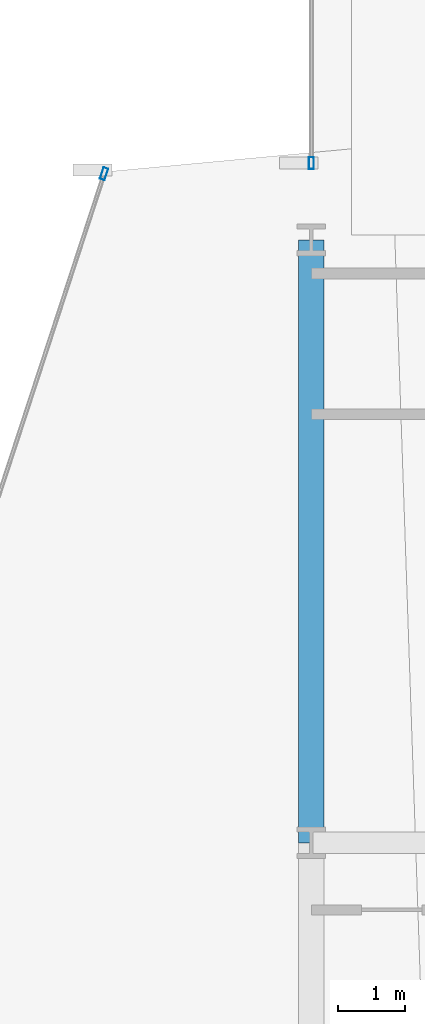
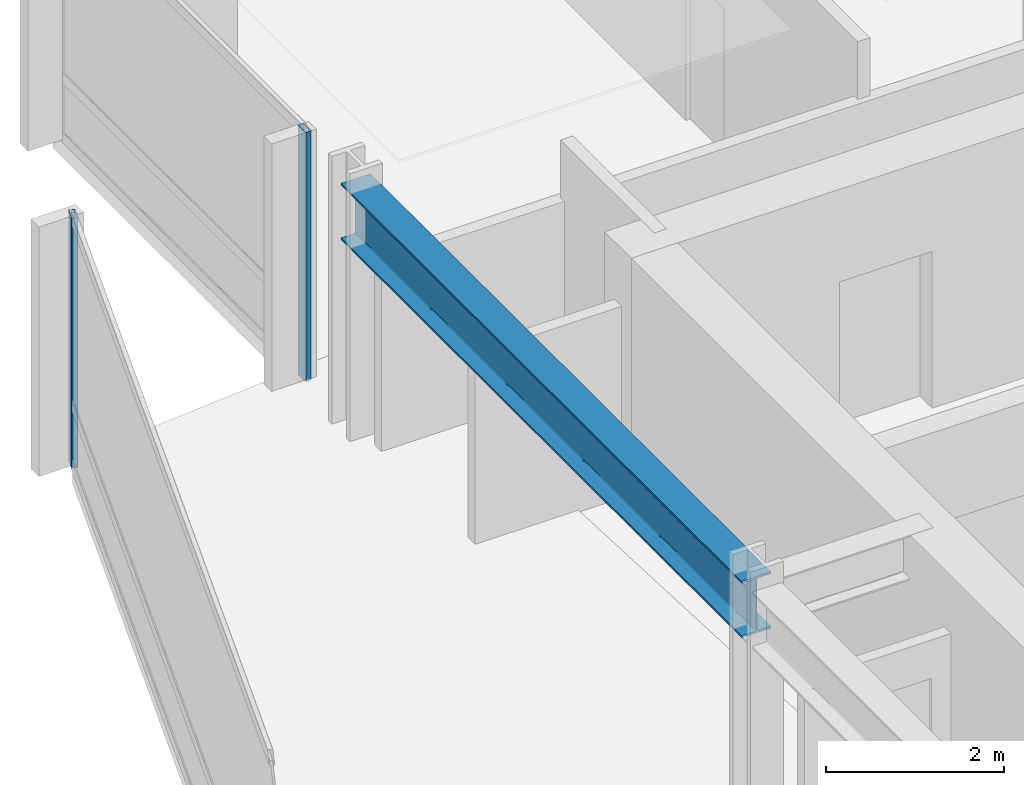
# One storey, part 19 of 34: 2 members, 1 beam, 2 elements without a shape of their own.
"""IFC4 building model written with IfcOpenShell, lengths in metres."""

import ifcopenshell
import ifcopenshell.guid

model = None  # the IFC model being written
_history = None  # IfcOwnerHistory: only IFC2X3 demands one
_inside = {}  # id of a spatial element -> (the spatial element, [elements in it])
_under = {}  # id of a project, library or spatial element -> (it, [spatial elements below it])
_declared = {}  # id of a project -> (the project, [libraries it declares])
_typed = {}  # id of a type object -> (the type object, [elements of that type])
_made_of = {}  # id of a material, layer set ... -> (it, [elements and type objects made of it])


def new_model(schema):
    """Start an empty IFC model of exactly this schema.

    Asked for "IFC4X3", IfcOpenShell would pick the latest addendum, in which some entities
    have other attributes; the version numbers below select the first issue.
    IFC2X3 requires an IfcOwnerHistory on every rooted entity: one is made here for all.
    """
    global model, _history
    if schema == "IFC4X3":
        model = ifcopenshell.file(schema_version=(4, 3, 0, 0))
    else:
        model = ifcopenshell.file(schema=schema)
    _inside.clear()
    _under.clear()
    _declared.clear()
    _typed.clear()
    _made_of.clear()
    _history = None
    if model.schema == "IFC2X3":
        org = make("IfcOrganization", Name="unknown")
        user = make(
            "IfcPersonAndOrganization",
            ThePerson=make("IfcPerson", FamilyName="unknown"),
            TheOrganization=org,
        )
        app = make(
            "IfcApplication",
            ApplicationDeveloper=org,
            Version="unknown",
            ApplicationFullName="unknown",
            ApplicationIdentifier="unknown",
        )
        _history = make(
            "IfcOwnerHistory",
            OwningUser=user,
            OwningApplication=app,
            ChangeAction="ADDED",
            CreationDate=0,
        )
    return model


def make(cls, **values):
    """One entity of the class cls with the attributes given. An attribute that is None is left unset."""
    return model.create_entity(
        cls, **{name: value for name, value in values.items() if value is not None}
    )


def rooted(cls, **values):
    """An entity with a GlobalId (a new one), such as an element, a storey or a relation."""
    return make(cls, GlobalId=ifcopenshell.guid.new(), OwnerHistory=_history, **values)


def si_unit(unit_type, name, prefix=None):
    """IfcSIUnit, for example si_unit("LENGTHUNIT", "METRE", prefix="MILLI")."""
    return make("IfcSIUnit", UnitType=unit_type, Prefix=prefix, Name=name)


def assignment(units):
    """IfcUnitAssignment: the units of a project."""
    return None if units is None else make("IfcUnitAssignment", Units=units)


def point(xyz):
    """IfcCartesianPoint."""
    return None if xyz is None else make("IfcCartesianPoint", Coordinates=xyz)


def direction(xyz):
    """IfcDirection."""
    return None if xyz is None else make("IfcDirection", DirectionRatios=xyz)


def frame(location, z_axis=None, x_axis=None):
    """IfcAxis2Placement3D, a coordinate frame: its origin and axes. An axis left out is left unset."""
    return make(
        "IfcAxis2Placement3D",
        Location=point(location),
        Axis=direction(z_axis),
        RefDirection=direction(x_axis),
    )


def frame_2d(location, x_axis=None):
    """IfcAxis2Placement2D, a coordinate frame in the plane: its origin and x axis."""
    return make(
        "IfcAxis2Placement2D", Location=point(location), RefDirection=direction(x_axis)
    )


def origin():
    """The frame at (0, 0, 0) with its axes left unset."""
    return frame((0.0, 0.0, 0.0))


def origin_2d():
    """The frame at (0, 0) in the plane with its x axis left unset."""
    return frame_2d((0.0, 0.0))


def place(relative_to, where):
    """IfcLocalPlacement: puts the frame where relative to a parent placement (None: the world)."""
    return make(
        "IfcLocalPlacement", PlacementRelTo=relative_to, RelativePlacement=where
    )


def context(
    kind, dimensions, precision=None, world=None, true_north=None, identifier=None
):
    """IfcGeometricRepresentationContext, for example the 3D "Model" context."""
    return make(
        "IfcGeometricRepresentationContext",
        ContextIdentifier=identifier,
        ContextType=kind,
        CoordinateSpaceDimension=dimensions,
        Precision=precision,
        WorldCoordinateSystem=world,
        TrueNorth=true_north,
    )


def subcontext(parent, identifier, kind, view, scale=None):
    """IfcGeometricRepresentationSubContext, for example "Body" below "Model"."""
    return make(
        "IfcGeometricRepresentationSubContext",
        ContextIdentifier=identifier,
        ContextType=kind,
        ParentContext=parent,
        TargetScale=scale,
        TargetView=view,
    )


def project(units=None, contexts=None):
    """IfcProject with its units and contexts."""
    return rooted(
        "IfcProject",
        Name="project",
        RepresentationContexts=contexts,
        UnitsInContext=assignment(units),
    )


def spatial(cls, under=None, at=None, **own):
    """A site, building, storey or space (cls), placed at a placement, below another one or the project."""
    s = rooted(cls, ObjectPlacement=at, **own)
    if under is not None:
        _under.setdefault(under.id(), (under, []))[1].append(s)
    return s


def profile(cls, at=None, kind="AREA", **sizes):
    """A parametric profile (cls). Its sizes go by their IFC names, for example OverallWidth=200.0."""
    return make(cls, ProfileType=kind, Position=at, **sizes)


def hollow_rectangle(**sizes):
    """IfcRectangleHollowProfileDef."""
    return profile("IfcRectangleHollowProfileDef", **sizes)


def i_section(**sizes):
    """IfcIShapeProfileDef."""
    return profile("IfcIShapeProfileDef", **sizes)


def extrude(swept, where, along, depth):
    """IfcExtrudedAreaSolid: the profile swept, set in the frame where, extruded along a direction by depth."""
    return make(
        "IfcExtrudedAreaSolid",
        SweptArea=swept,
        Position=where,
        ExtrudedDirection=direction(along),
        Depth=depth,
    )


def shape(context_of_items, identifier, shape_type, items):
    """IfcShapeRepresentation: the items that make up one representation, for example the "Body"."""
    return make(
        "IfcShapeRepresentation",
        ContextOfItems=context_of_items,
        RepresentationIdentifier=identifier,
        RepresentationType=shape_type,
        Items=items,
    )


def material(Name=None, Category=None):
    """IfcMaterial."""
    return make("IfcMaterial", Name=Name, Category=Category)


def layer(
    of_material, thickness, ventilated=None, Name=None, Category=None, Priority=None
):
    """IfcMaterialLayer: one layer of a wall or slab, of a material (None: an air gap)."""
    return make(
        "IfcMaterialLayer",
        Material=of_material,
        LayerThickness=thickness,
        IsVentilated=ventilated,
        Name=Name,
        Category=Category,
        Priority=Priority,
    )


def layer_set(layers, Name=None):
    """IfcMaterialLayerSet."""
    return make("IfcMaterialLayerSet", MaterialLayers=layers, LayerSetName=Name)


def material_profile(
    of_material, cross_section, Name=None, Category=None, Priority=None
):
    """IfcMaterialProfile: a cross section and its material."""
    return make(
        "IfcMaterialProfile",
        Name=Name,
        Material=of_material,
        Profile=cross_section,
        Priority=Priority,
        Category=Category,
    )


def profile_set(profiles, Name=None, composite=None):
    """IfcMaterialProfileSet."""
    return make(
        "IfcMaterialProfileSet",
        Name=Name,
        MaterialProfiles=profiles,
        CompositeProfile=composite,
    )


def made_of(thing, what):
    """Note that an element or type object is made of a material, layer set ...; save() writes the relation."""
    if what is not None:
        _made_of.setdefault(what.id(), (what, []))[1].append(thing)
    return thing


def type_object(cls, material=None, **own):
    """A type object (cls), such as IfcWallType, which elements share."""
    return made_of(rooted(cls, **own), material)


def element(
    cls,
    number,
    at=None,
    inside=None,
    cuts=None,
    type_object=None,
    material=None,
    context=None,
    identifier="Body",
    shape_type=None,
    held_by="IfcProductDefinitionShape",
    body=None,
    shapes=None,
    **own,
):
    """One element of the class cls, such as IfcWall. Its Tag is "e" and its number.

    at: its placement. inside: the storey or other place that contains it. cuts: it is an
    opening in that element (IfcRelVoidsElement). A single representation is given by context,
    identifier, shape_type and body (its items); several are given by shapes. held_by: the class
    of the entity that holds the representations. save() writes the other relations.
    """
    e = rooted(cls, Tag="e%d" % number, ObjectPlacement=at, **own)
    if body is not None:
        shapes = [shape(context, identifier, shape_type, body)]
    if shapes is not None:
        e.Representation = make(held_by, Representations=shapes)
    if inside is not None:
        _inside.setdefault(inside.id(), (inside, []))[1].append(e)
    if cuts is not None:
        rooted(
            "IfcRelVoidsElement", RelatingBuildingElement=cuts, RelatedOpeningElement=e
        )
    if type_object is not None:
        _typed.setdefault(type_object.id(), (type_object, []))[1].append(e)
    return made_of(e, material)


def aggregate(whole, parts):
    """IfcRelAggregates: a whole, such as a stair, and the parts it consists of."""
    return rooted("IfcRelAggregates", RelatingObject=whole, RelatedObjects=parts)


def save(model, path):
    """Write the relations noted so far, then the file.

    IfcRelAggregates (storeys below a building ...), IfcRelContainedInSpatialStructure (elements
    in a storey), IfcRelDefinesByType, IfcRelAssociatesMaterial and IfcRelDeclares: one each for
    every whole, place, type object, material and project.
    """
    for whole, parts in _under.values():
        aggregate(whole, parts)
    for where, things in _inside.values():
        rooted(
            "IfcRelContainedInSpatialStructure",
            RelatedElements=things,
            RelatingStructure=where,
        )
    for kind, things in _typed.values():
        rooted("IfcRelDefinesByType", RelatedObjects=things, RelatingType=kind)
    for what, things in _made_of.values():
        rooted("IfcRelAssociatesMaterial", RelatedObjects=things, RelatingMaterial=what)
    for by, libraries in _declared.values():
        rooted("IfcRelDeclares", RelatingContext=by, RelatedDefinitions=libraries)
    model.write(path)


model = new_model("IFC4")

# Units and contexts
model_context = context("Model", 3, precision=1e-05, world=origin(), true_north=direction((0.0, 1.0)))
body_context = subcontext(model_context, "Body", "Model", "MODEL_VIEW")
ifc_project = project(units=[si_unit("LENGTHUNIT", "METRE"), si_unit("AREAUNIT", "SQUARE_METRE"), si_unit("VOLUMEUNIT", "CUBIC_METRE"), si_unit("PLANEANGLEUNIT", "RADIAN"), si_unit("MASSUNIT", "GRAM", prefix="KILO")], contexts=[model_context])

# Site, building, storey
site_placement = place(None, origin())
site = spatial("IfcSite", under=ifc_project, at=site_placement, CompositionType="ELEMENT")
building_placement = place(site_placement, origin())
building = spatial("IfcBuilding", under=site, at=building_placement, Name="Solvaryn Broadcast Tower", CompositionType="ELEMENT")
storey_placement = place(building_placement, frame((0.0, 0.0, 89.10009765625)))
storey = spatial("IfcBuildingStorey", under=building, at=storey_placement, Name="L21", CompositionType="ELEMENT", Elevation=89.10009765625)

# Beam
ifc_material_1 = material(Name="Steel ASTM A992 Grade 50", Category="steel")
ifc_material_profile_1 = material_profile(ifc_material_1, i_section(OverallWidth=0.381103515625, OverallDepth=0.77294921875, WebThickness=0.0166015625, FlangeThickness=0.027099609375, FilletRadius=0.01806640625, at=origin_2d()))
ifc_profile_set_1 = profile_set([ifc_material_profile_1], Name="Steel ASTM A992 Grade 50")
beam_type = type_object("IfcBeamType", Name="BM-SP1-W30X173", PredefinedType="USERDEFINED", material=ifc_profile_set_1)
beam_placement = place(storey_placement, frame((9.0, 36.0, 3.033447265625), z_axis=(0.0, 1.0, 0.0), x_axis=(-1.0, 0.0, 0.0)))
element("IfcBeam", 1, at=beam_placement, inside=storey, type_object=beam_type, Name="L21 Spandrel Beam Y (36-45 @ X=9)", ObjectType="SPANDREL", PredefinedType="USERDEFINED", context=body_context, shape_type="SweptSolid", body=[
    extrude(i_section(OverallWidth=0.381103515625, OverallDepth=0.77294921875, WebThickness=0.0166015625, FlangeThickness=0.027099609375, FilletRadius=0.01806640625, at=origin_2d()), origin(), (0.0, 0.0, 1.0), 9.0),
])

# Curtain wall, member
ifc_material_2 = material(Name="Aluminium and Terracotta Unitised Curtain Wall", Category="masonry")
ifc_layer = layer(ifc_material_2, 0.199951171875)
ifc_layer_set = layer_set([ifc_layer], Name="CW-SYS2-LOWMID")
curtain_wall_type = type_object("IfcCurtainWallType", Name="CW-SYS2-LOWMID", PredefinedType="NOTDEFINED", material=ifc_layer_set)
curtain_wall_1_placement = place(storey_placement, origin())
curtain_wall_1 = element("IfcCurtainWall", 2, at=curtain_wall_1_placement, inside=storey, type_object=curtain_wall_type, Name="L21 Curtain Wall DR1", PredefinedType="NOTDEFINED")
ifc_material_3 = material(Name="Anodised Aluminium 6063-T6", Category="aluminium")
ifc_material_profile_2 = material_profile(ifc_material_3, hollow_rectangle(XDim=0.074951171875, YDim=0.179931640625, WallThickness=0.00390625, InnerFilletRadius=0.00390625, OuterFilletRadius=0.008056640625, at=origin_2d()))
ifc_profile_set_2 = profile_set([ifc_material_profile_2], Name="Anodised Aluminium 6063-T6")
member_type = type_object("IfcMemberType", Name="CW-MUL-180", PredefinedType="MULLION", material=ifc_profile_set_2)
member_1_placement = place(storey_placement, frame((5.90673828125, 45.987548828125, 0.0), z_axis=(0.0, 0.0, 1.0), x_axis=(0.950215318429, -0.311594044587, 0.0)))
member_1 = element("IfcMember", 3, at=member_1_placement, type_object=member_type, Name="CWS2 mullion 1", PredefinedType="MULLION", context=body_context, shape_type="SweptSolid", body=[
    extrude(hollow_rectangle(XDim=0.074951171875, YDim=0.179931640625, WallThickness=0.00390625, InnerFilletRadius=0.00390625, OuterFilletRadius=0.008056640625, at=origin_2d()), origin(), (0.0, 0.0, 1.0), 3.419921875),
])
aggregate(curtain_wall_1, [member_1])

curtain_wall_2_placement = place(storey_placement, origin())
curtain_wall_2 = element("IfcCurtainWall", 4, at=curtain_wall_2_placement, inside=storey, type_object=curtain_wall_type, Name="L21 Curtain Wall W2", PredefinedType="NOTDEFINED")
member_2_placement = place(storey_placement, frame((9.0, 46.14599609375, 0.0), z_axis=(0.0, 0.0, 1.0), x_axis=(-1.0, 0.0, 0.0)))
member_2 = element("IfcMember", 5, at=member_2_placement, type_object=member_type, Name="CWS2 mullion 1", PredefinedType="MULLION", context=body_context, shape_type="SweptSolid", body=[
    extrude(hollow_rectangle(XDim=0.074951171875, YDim=0.179931640625, WallThickness=0.00390625, InnerFilletRadius=0.00390625, OuterFilletRadius=0.008056640625, at=origin_2d()), origin(), (0.0, 0.0, 1.0), 3.419921875),
])
aggregate(curtain_wall_2, [member_2])

save(model, "model.ifc")
